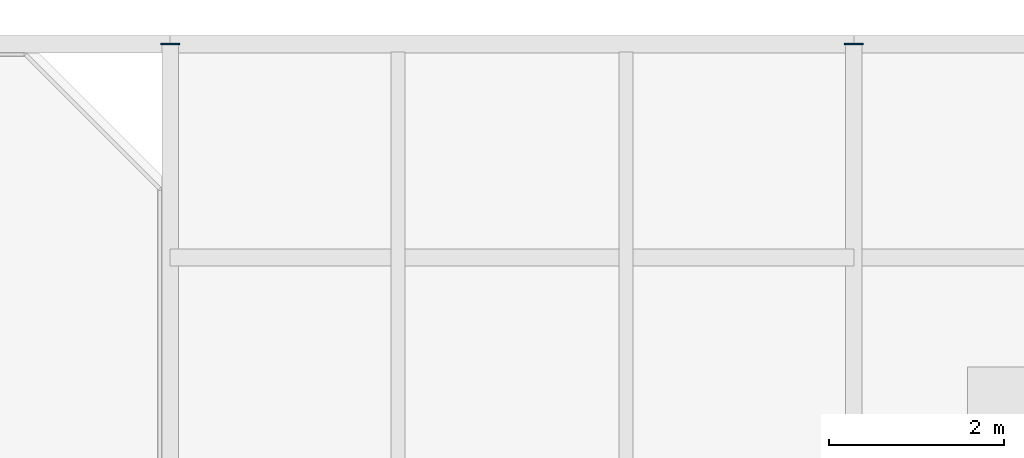
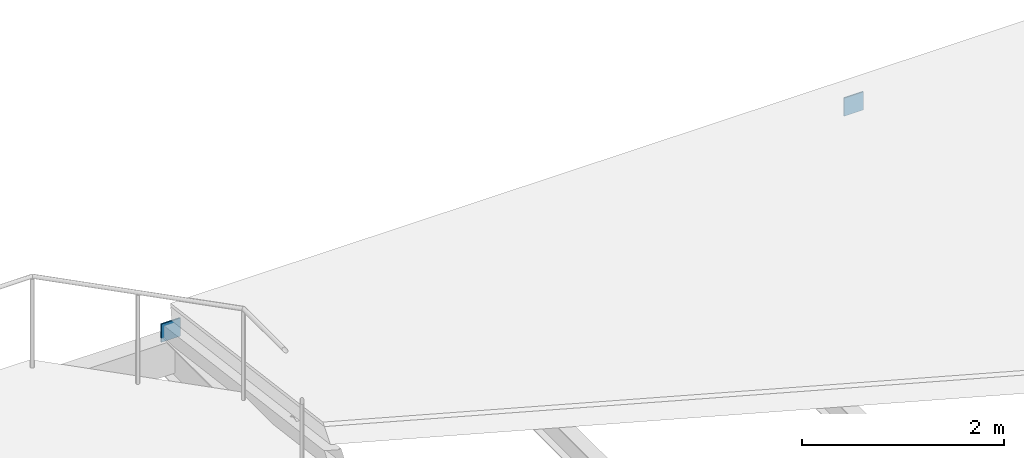
# One storey, part 88 of 119: 2 plates.
"""IFC4 building model written with IfcOpenShell, lengths in metres."""

from ifc_helpers import new_model, si_unit, direction, frame, origin, origin_2d, place, context, subcontext, project, spatial, rectangle, extrude, material, layer, layer_set, type_object, element, save


model = new_model("IFC4")

# Units and contexts
model_context = context("Model", 3, precision=1e-05, world=origin(), true_north=direction((0.0, 1.0)))
body_context = subcontext(model_context, "Body", "Model", "MODEL_VIEW")
ifc_project = project(units=[si_unit("LENGTHUNIT", "METRE"), si_unit("AREAUNIT", "SQUARE_METRE"), si_unit("VOLUMEUNIT", "CUBIC_METRE"), si_unit("PLANEANGLEUNIT", "RADIAN"), si_unit("MASSUNIT", "GRAM", prefix="KILO")], contexts=[model_context])

# Site, building, storey
site_placement = place(None, origin())
site = spatial("IfcSite", under=ifc_project, at=site_placement, CompositionType="ELEMENT")
building_placement = place(site_placement, origin())
building = spatial("IfcBuilding", under=site, at=building_placement, Name="Celorna Specialist Clinic", CompositionType="ELEMENT")
storey_placement = place(building_placement, frame((0.0, 0.0, 9.60009765625)))
storey = spatial("IfcBuildingStorey", under=building, at=storey_placement, Name="L02", CompositionType="ELEMENT", Elevation=9.60009765625)

# Plates
ifc_material = material(Name="Steel S355", Category="steel")
ifc_layer = layer(ifc_material, 0.01611328125, Name="Steel S355")
ifc_layer_set = layer_set([ifc_layer], Name="Steel S355")
plate_type = type_object("IfcPlateType", Name="EP-04", PredefinedType="SHEET", material=ifc_layer_set)
for number, where, z_axis, x_axis, name in (
    (1, (148.199951171875, 116.0, -0.31201171875), (0.0, 0.0, 1.0), (1.0, 0.0, 0.0), "Rafter chord cap plate ROOF-V4-EAST-N"),
    (2, (156.0, 116.0, -0.31201171875), (0.0, 0.0, 1.0), (1.0, 0.0, 0.0), "Rafter chord cap plate ROOF-V4-EAST-N"),
):
    element("IfcPlate", number, at=place(storey_placement, frame(where, z_axis=z_axis, x_axis=x_axis)), inside=storey, type_object=plate_type, Name=name, PredefinedType="SHEET", context=body_context, shape_type="SweptSolid", body=[
        extrude(rectangle(XDim=0.219970703125, YDim=0.013916015625, at=origin_2d()), origin(), (0.0, 0.0, 1.0), 0.219970703125),
    ])

save(model, "model.ifc")
